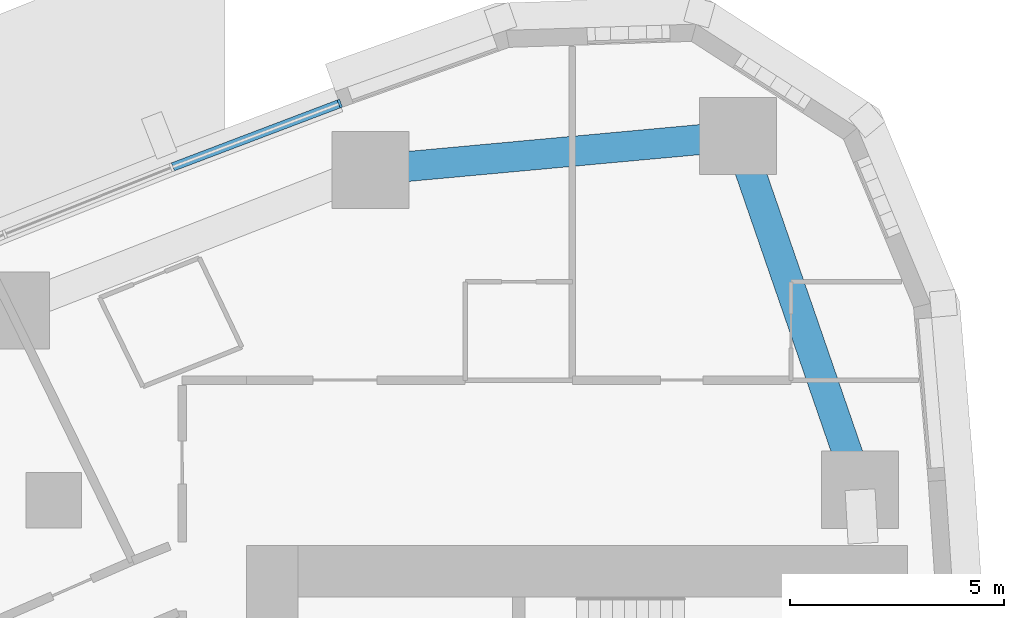
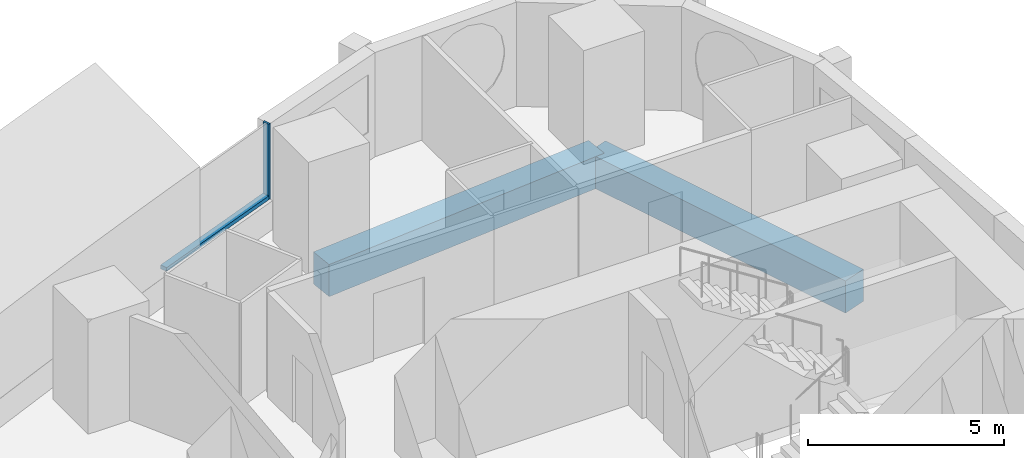
# One storey, part 7 of 19: 2 beams, 2 members, 1 element without a shape of its own.
"""IFC4 building model written with IfcOpenShell, lengths in metres."""

from ifc_helpers import new_model, si_unit, direction, frame, origin, origin_2d, place, context, subcontext, project, spatial, rectangle, extrude, material, layer, layer_set, material_profile, profile_set, type_object, element, aggregate, save


model = new_model("IFC4")

# Units and contexts
model_context = context("Model", 3, precision=1e-05, world=origin(), true_north=direction((0.0, 1.0)))
body_context = subcontext(model_context, "Body", "Model", "MODEL_VIEW")
ifc_project = project(units=[si_unit("LENGTHUNIT", "METRE"), si_unit("AREAUNIT", "SQUARE_METRE"), si_unit("VOLUMEUNIT", "CUBIC_METRE"), si_unit("PLANEANGLEUNIT", "RADIAN"), si_unit("MASSUNIT", "GRAM", prefix="KILO")], contexts=[model_context])

# Site, building, storey
site_placement = place(None, origin())
site = spatial("IfcSite", under=ifc_project, at=site_placement, CompositionType="ELEMENT")
building_placement = place(site_placement, origin())
building = spatial("IfcBuilding", under=site, at=building_placement, Name="Ostrand Prow Hotel Tower", CompositionType="ELEMENT")
storey_placement = place(building_placement, frame((0.0, 0.0, 43.14990234375)))
storey = spatial("IfcBuildingStorey", under=building, at=storey_placement, Name="L08", CompositionType="ELEMENT", Elevation=43.14990234375)

# Beams
ifc_material_1 = material(Name="Concrete C80/95", Category="concrete")
ifc_material_profile_1 = material_profile(ifc_material_1, rectangle(XDim=0.699951171875, YDim=1.0, at=origin_2d()), Name="RC 700x1000")
ifc_profile_set_1 = profile_set([ifc_material_profile_1], Name="Concrete C80/95")
beam_type = type_object("IfcBeamType", Name="Edge beam 700x1000 C80/95", PredefinedType="SPANDREL", material=ifc_profile_set_1)
beam_1_placement = place(storey_placement, frame((63.8134765625, 18.248779296875, -0.7998046875), z_axis=(-0.326263961413, 0.945278703602, 0.0), x_axis=(-0.945278703602, -0.326263961413, 0.0)))
element("IfcBeam", 1, at=beam_1_placement, inside=storey, type_object=beam_type, Name="Edge beam B5-NE", PredefinedType="SPANDREL", context=body_context, shape_type="SweptSolid", body=[
    extrude(rectangle(XDim=0.699951171875, YDim=1.0, at=origin_2d()), origin(), (0.0, 0.0, 1.0), 8.727294921875),
])
beam_2_placement = place(storey_placement, frame((60.966064453125, 26.49853515625, -0.7998046875), z_axis=(-0.995800189514, -0.091553167961, 0.0), x_axis=(0.091553167961, -0.995800189514, 0.0)))
element("IfcBeam", 2, at=beam_2_placement, inside=storey, type_object=beam_type, Name="Edge beam NE-N1", PredefinedType="SPANDREL", context=body_context, shape_type="SweptSolid", body=[
    extrude(rectangle(XDim=0.699951171875, YDim=1.0, at=origin_2d()), origin(), (0.0, 0.0, 1.0), 8.610595703125),
])

# Curtain wall, members
ifc_material_2 = material(Name="Insulated glass in bronze anodised frame", Category="glass")
ifc_layer = layer(ifc_material_2, 0.199951171875)
ifc_layer_set = layer_set([ifc_layer], Name="Insulated glass in bronze anodised frame")
curtain_wall_type = type_object("IfcCurtainWallType", Name="Strip curtain wall, fritted glass over bronze spandrel", PredefinedType="NOTDEFINED", material=ifc_layer_set)
curtain_wall_placement = place(storey_placement, origin())
curtain_wall = element("IfcCurtainWall", 3, at=curtain_wall_placement, inside=storey, type_object=curtain_wall_type, Name="CW1 run CWN1", PredefinedType="NOTDEFINED")
ifc_material_3 = material(Name="Bronze anodised aluminium", Category="aluminium")
ifc_material_profile_2 = material_profile(ifc_material_3, rectangle(XDim=0.199951171875, YDim=0.06005859375, at=origin_2d()), Name="Mullion 60x200 bronze anodised aluminium")
ifc_profile_set_2 = profile_set([ifc_material_profile_2], Name="Bronze anodised aluminium")
member_type_1 = type_object("IfcMemberType", Name="Mullion 60x200 bronze anodised aluminium", PredefinedType="MULLION", material=ifc_profile_set_2)
member_1_placement = place(storey_placement, frame((51.674560546875, 27.2578125, 0.900146484375), z_axis=(0.0, 0.0, 1.0), x_axis=(0.354728407072, -0.934969388384, 0.0)))
member_1 = element("IfcMember", 4, at=member_1_placement, type_object=member_type_1, Name="CW1 mullion 1", PredefinedType="MULLION", context=body_context, shape_type="SweptSolid", body=[
    extrude(rectangle(XDim=0.199951171875, YDim=0.06005859375, at=origin_2d()), origin(), (0.0, 0.0, 1.0), 2.349853515625),
])
ifc_material_4 = material(Name="Bronze anodised aluminium", Category="aluminium")
ifc_material_profile_3 = material_profile(ifc_material_4, rectangle(XDim=0.199951171875, YDim=0.1201171875, at=origin_2d()), Name="Transom 120x200 bronze anodised aluminium")
ifc_profile_set_3 = profile_set([ifc_material_profile_3], Name="Bronze anodised aluminium")
member_type_2 = type_object("IfcMemberType", Name="Transom 120x200 bronze anodised aluminium", PredefinedType="USERDEFINED", material=ifc_profile_set_3)
member_2_placement = place(storey_placement, frame((51.646484375, 27.2470703125, 0.960205078125), z_axis=(-0.93497051437, -0.354725439261, 0.0), x_axis=(0.354725439261, -0.93497051437, 0.0)))
member_2 = element("IfcMember", 5, at=member_2_placement, type_object=member_type_2, Name="CW1 transom 1.1", ObjectType="TRANSOM", PredefinedType="USERDEFINED", context=body_context, shape_type="SweptSolid", body=[
    extrude(rectangle(XDim=0.199951171875, YDim=0.1201171875, at=origin_2d()), origin(), (0.0, 0.0, 1.0), 4.13427734375),
])
aggregate(curtain_wall, [member_1, member_2])

save(model, "model.ifc")
